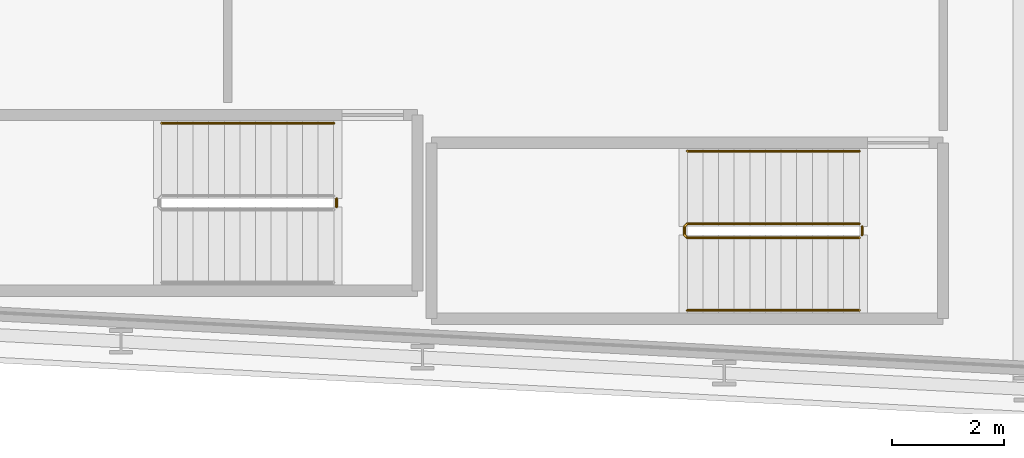
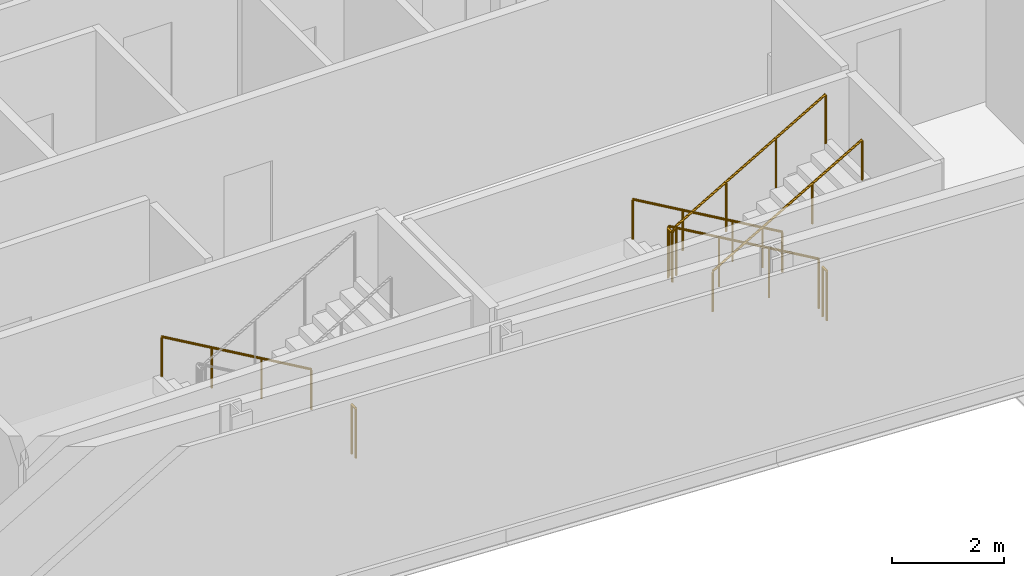
# One storey, part 22 of 25: 6 railings.
"""IFC4 building model written with IfcOpenShell, lengths in metres."""

from ifc_helpers import new_model, si_unit, direction, frame, origin, origin_2d, place, context, subcontext, project, spatial, circle, extrude, material, type_object, element, save


model = new_model("IFC4")

# Units and contexts
model_context = context("Model", 3, precision=1e-05, world=origin(), true_north=direction((0.0, 1.0)))
body_context = subcontext(model_context, "Body", "Model", "MODEL_VIEW")
ifc_project = project(units=[si_unit("LENGTHUNIT", "METRE"), si_unit("AREAUNIT", "SQUARE_METRE"), si_unit("VOLUMEUNIT", "CUBIC_METRE"), si_unit("PLANEANGLEUNIT", "RADIAN"), si_unit("MASSUNIT", "GRAM", prefix="KILO")], contexts=[model_context])

# Site, building, storey
site_placement = place(None, origin())
site = spatial("IfcSite", under=ifc_project, at=site_placement, CompositionType="ELEMENT")
building_placement = place(site_placement, origin())
building = spatial("IfcBuilding", under=site, at=building_placement, Name="Kheshtan School and Residences Tower", CompositionType="ELEMENT")
storey_placement = place(building_placement, frame((0.0, 0.0, 109.699951171875)))
storey = spatial("IfcBuildingStorey", under=building, at=storey_placement, Name="L25", CompositionType="ELEMENT", Elevation=109.699951171875)

# Railings
ifc_material_1 = material(Name="Stainless steel balustrade", Category="steel")
railing_type_1 = type_object("IfcRailingType", Name="Stair guard 1100", PredefinedType="GUARDRAIL", material=ifc_material_1)
railing_1_placement = place(storey_placement, frame((87.820068359375, 23.949951171875, 0.16259765625)))
element("IfcRailing", 1, at=railing_1_placement, inside=storey, type_object=railing_type_1, Name="L25 ST4 stair guard 1", PredefinedType="GUARDRAIL", context=body_context, shape_type="SweptSolid", body=[
    extrude(circle(Radius=0.02392578125, at=origin_2d()), frame((0.0, 0.0, 1.076171875), z_axis=(-0.864920483161, 0.0, 0.501908913857), x_axis=(0.0, -1.0, 0.0)), (0.0, 0.0, 1.0), 3.56103515625),
    extrude(circle(Radius=0.02392578125, at=origin_2d()), frame((-3.080078125, 0.0, 2.86328125), z_axis=(-0.707106781187, -0.707106781187, 0.0), x_axis=(0.707106781187, -0.707106781187, 0.0)), (0.0, 0.0, 1.0), 0.07080078125),
    extrude(circle(Radius=0.02392578125, at=origin_2d()), frame((-3.130126953125, -0.050048828125, 2.86328125), z_axis=(0.0, -1.0, 0.0), x_axis=(1.0, 0.0, 0.0)), (0.0, 0.0, 1.0), 0.14990234375),
    extrude(circle(Radius=0.02392578125, at=origin_2d()), frame((-3.130126953125, -0.199951171875, 2.86328125), z_axis=(0.282227285176, -0.282227285176, 0.916894497205), x_axis=(0.707106781187, 0.707106781187, 0.0)), (0.0, 0.0, 1.0), 0.17724609375),
    extrude(circle(Radius=0.02392578125, at=origin_2d()), frame((-3.080078125, -0.25, 3.02587890625), z_axis=(0.864890721111, 0.0, 0.501960198159), x_axis=(0.0, 1.0, 0.0)), (0.0, 0.0, 1.0), 3.561279296875),
    extrude(circle(Radius=0.02099609375, at=origin_2d()), origin(), (0.0, 0.0, 1.0), 1.052001953125),
    extrude(circle(Radius=0.02099609375, at=origin_2d()), frame((-1.026611328125, 0.0, 0.595703125)), (0.0, 0.0, 1.0), 1.052001953125),
    extrude(circle(Radius=0.02099609375, at=origin_2d()), frame((-2.053466796875, 0.0, 1.191650390625)), (0.0, 0.0, 1.0), 1.052001953125),
    extrude(circle(Radius=0.02099609375, at=origin_2d()), frame((-3.080078125, 0.0, 1.787353515625)), (0.0, 0.0, 1.0), 1.052001953125),
    extrude(circle(Radius=0.02099609375, at=origin_2d()), frame((-3.130126953125, -0.050048828125, 1.787353515625)), (0.0, 0.0, 1.0), 1.052001953125),
    extrude(circle(Radius=0.02099609375, at=origin_2d()), frame((-3.130126953125, -0.199951171875, 1.787353515625)), (0.0, 0.0, 1.0), 1.052001953125),
    extrude(circle(Radius=0.02099609375, at=origin_2d()), frame((-3.080078125, -0.25, 1.949951171875)), (0.0, 0.0, 1.0), 1.052001953125),
    extrude(circle(Radius=0.02099609375, at=origin_2d()), frame((-2.053466796875, -0.25, 2.5458984375)), (0.0, 0.0, 1.0), 1.052001953125),
    extrude(circle(Radius=0.02099609375, at=origin_2d()), frame((-1.026611328125, -0.25, 3.1416015625)), (0.0, 0.0, 1.0), 1.052001953125),
    extrude(circle(Radius=0.02099609375, at=origin_2d()), frame((0.0, -0.25, 3.737548828125)), (0.0, 0.0, 1.0), 1.052001953125),
])
for number, where, name in (
    (2, (87.8701171875, 23.89990234375, 0.0), "L25 ST4 stair guard 2"),
    (3, (78.4599609375, 24.39990234375, 0.0), "L25 ST5 stair guard 2"),
):
    element("IfcRailing", number, at=place(storey_placement, frame(where)), inside=storey, type_object=railing_type_1, Name=name, PredefinedType="GUARDRAIL", context=body_context, shape_type="SweptSolid", body=[
        extrude(circle(Radius=0.02392578125, at=origin_2d()), frame((0.0, 0.0, 1.076171875), z_axis=(0.0, -1.0, 0.0), x_axis=(1.0, 0.0, 0.0)), (0.0, 0.0, 1.0), 0.14990234375),
        extrude(circle(Radius=0.02099609375, at=origin_2d()), origin(), (0.0, 0.0, 1.0), 1.052001953125),
        extrude(circle(Radius=0.02099609375, at=origin_2d()), frame((0.0, -0.14990234375, 0.0)), (0.0, 0.0, 1.0), 1.052001953125),
    ])
ifc_material_2 = material(Name="Stainless steel handrail", Category="steel")
railing_type_2 = type_object("IfcRailingType", Name="Stair handrail 900", PredefinedType="HANDRAIL", material=ifc_material_2)
railing_2_placement = place(storey_placement, frame((87.820068359375, 25.25, 0.16259765625)))
element("IfcRailing", 4, at=railing_2_placement, inside=storey, type_object=railing_type_2, Name="L25 ST4 stair handrail 1", PredefinedType="HANDRAIL", context=body_context, shape_type="SweptSolid", body=[
    extrude(circle(Radius=0.02392578125, at=origin_2d()), frame((0.0, 0.0, 0.8759765625), z_axis=(-0.864920483161, 0.0, 0.501908913857), x_axis=(0.0, -1.0, 0.0)), (0.0, 0.0, 1.0), 3.56103515625),
    extrude(circle(Radius=0.02099609375, at=origin_2d()), origin(), (0.0, 0.0, 1.0), 0.851806640625),
    extrude(circle(Radius=0.02099609375, at=origin_2d()), frame((-1.026611328125, 0.0, 0.595703125)), (0.0, 0.0, 1.0), 0.851806640625),
    extrude(circle(Radius=0.02099609375, at=origin_2d()), frame((-2.053466796875, 0.0, 1.191650390625)), (0.0, 0.0, 1.0), 0.851806640625),
    extrude(circle(Radius=0.02099609375, at=origin_2d()), frame((-3.080078125, 0.0, 1.787353515625)), (0.0, 0.0, 1.0), 0.851806640625),
])
railing_3_placement = place(storey_placement, frame((84.739990234375, 22.39990234375, 2.112548828125)))
element("IfcRailing", 5, at=railing_3_placement, inside=storey, type_object=railing_type_2, Name="L25 ST4 stair handrail 2", PredefinedType="HANDRAIL", context=body_context, shape_type="SweptSolid", body=[
    extrude(circle(Radius=0.02392578125, at=origin_2d()), frame((0.0, 0.0, 0.8759765625), z_axis=(0.864890721111, 0.0, 0.501960198159), x_axis=(0.0, 1.0, 0.0)), (0.0, 0.0, 1.0), 3.561279296875),
    extrude(circle(Radius=0.02099609375, at=origin_2d()), origin(), (0.0, 0.0, 1.0), 0.851806640625),
    extrude(circle(Radius=0.02099609375, at=origin_2d()), frame((1.026611328125, 0.0, 0.595947265625)), (0.0, 0.0, 1.0), 0.851806640625),
    extrude(circle(Radius=0.02099609375, at=origin_2d()), frame((2.053466796875, 0.0, 1.191650390625)), (0.0, 0.0, 1.0), 0.851806640625),
    extrude(circle(Radius=0.02099609375, at=origin_2d()), frame((3.080078125, 0.0, 1.78759765625)), (0.0, 0.0, 1.0), 0.851806640625),
])
railing_4_placement = place(storey_placement, frame((78.409912109375, 25.75, 0.16259765625)))
element("IfcRailing", 6, at=railing_4_placement, inside=storey, type_object=railing_type_2, Name="L25 ST5 stair handrail 1", PredefinedType="HANDRAIL", context=body_context, shape_type="SweptSolid", body=[
    extrude(circle(Radius=0.02392578125, at=origin_2d()), frame((0.0, 0.0, 0.8759765625), z_axis=(-0.864903211148, 0.0, 0.501938676878), x_axis=(0.0, -1.0, 0.0)), (0.0, 0.0, 1.0), 3.560791015625),
    extrude(circle(Radius=0.02099609375, at=origin_2d()), origin(), (0.0, 0.0, 1.0), 0.851806640625),
    extrude(circle(Radius=0.02099609375, at=origin_2d()), frame((-1.026611328125, 0.0, 0.595703125)), (0.0, 0.0, 1.0), 0.851806640625),
    extrude(circle(Radius=0.02099609375, at=origin_2d()), frame((-2.05322265625, 0.0, 1.191650390625)), (0.0, 0.0, 1.0), 0.851806640625),
    extrude(circle(Radius=0.02099609375, at=origin_2d()), frame((-3.079833984375, 0.0, 1.787353515625)), (0.0, 0.0, 1.0), 0.851806640625),
])

save(model, "model.ifc")
